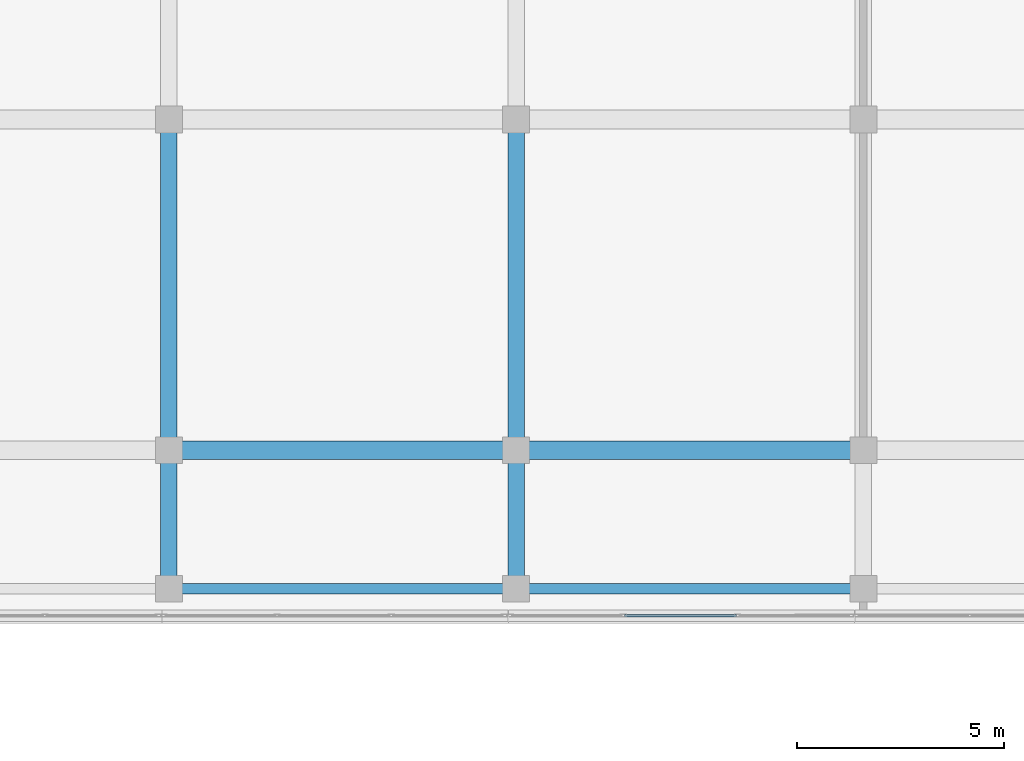
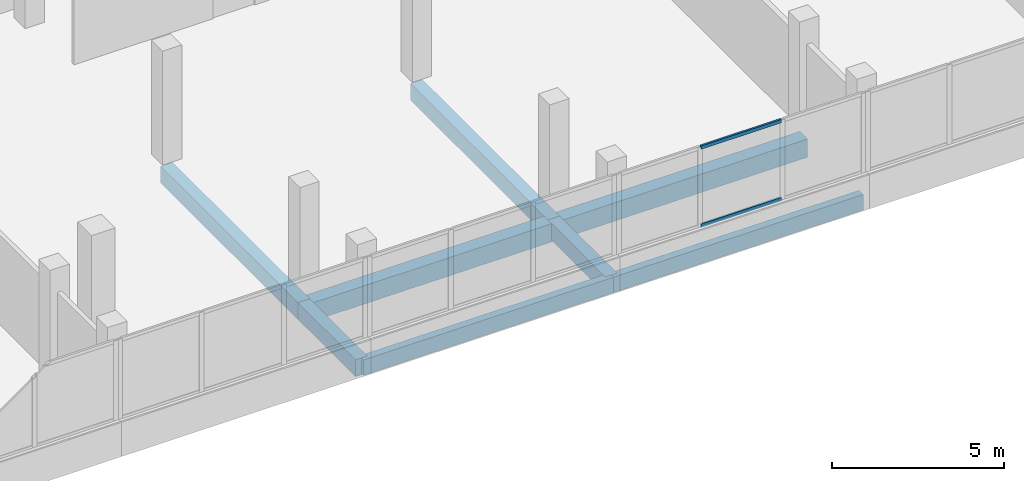
# One storey, part 30 of 76: 8 beams, 2 members, 1 element without a shape of its own.
"""IFC4 building model written with IfcOpenShell, lengths in metres."""

from ifc_helpers import new_model, si_unit, direction, frame, origin, origin_2d, place, context, subcontext, project, spatial, rectangle, hollow_rectangle, extrude, material, material_profile, profile_set, type_object, element, aggregate, save


model = new_model("IFC4")

# Units and contexts
model_context = context("Model", 3, precision=1e-05, world=origin(), true_north=direction((0.0, 1.0)))
body_context = subcontext(model_context, "Body", "Model", "MODEL_VIEW")
ifc_project = project(units=[si_unit("LENGTHUNIT", "METRE"), si_unit("AREAUNIT", "SQUARE_METRE"), si_unit("VOLUMEUNIT", "CUBIC_METRE"), si_unit("PLANEANGLEUNIT", "RADIAN"), si_unit("MASSUNIT", "GRAM", prefix="KILO")], contexts=[model_context])

# Site, building, storey
site_placement = place(None, origin())
site = spatial("IfcSite", under=ifc_project, at=site_placement, CompositionType="ELEMENT")
building_placement = place(site_placement, origin())
building = spatial("IfcBuilding", under=site, at=building_placement, Name="Selatvlak General Hospital", CompositionType="ELEMENT")
storey_placement = place(building_placement, frame((0.0, 0.0, 27.300048828125)))
storey = spatial("IfcBuildingStorey", under=building, at=storey_placement, Name="L06", CompositionType="ELEMENT", Elevation=27.300048828125)

# Beams
ifc_material_1 = material(Name="Concrete C40/50", Category="concrete")
ifc_material_profile_1 = material_profile(ifc_material_1, rectangle(XDim=0.449951171875, YDim=0.64990234375, at=origin_2d()), Name="RC-BM 450x650")
ifc_profile_set_1 = profile_set([ifc_material_profile_1], Name="Concrete C40/50")
beam_type_1 = type_object("IfcBeamType", Name="BM-G04", PredefinedType="BEAM", material=ifc_profile_set_1)
beam_1_placement = place(storey_placement, frame((90.0, 92.0, -0.60009765625), z_axis=(1.0, 0.0, 0.0), x_axis=(0.0, 1.0, 0.0)))
element("IfcBeam", 1, at=beam_1_placement, inside=storey, type_object=beam_type_1, Name="Beam BMR-L06-2170", PredefinedType="BEAM", context=body_context, shape_type="SweptSolid", body=[
    extrude(rectangle(XDim=0.449951171875, YDim=0.64990234375, at=origin_2d()), origin(), (0.0, 0.0, 1.0), 8.39990234375),
])
beam_2_placement = place(storey_placement, frame((98.39990234375, 92.0, -0.60009765625), z_axis=(1.0, 0.0, 0.0), x_axis=(0.0, 1.0, 0.0)))
element("IfcBeam", 2, at=beam_2_placement, inside=storey, type_object=beam_type_1, Name="Beam BMR-L06-2171", PredefinedType="BEAM", context=body_context, shape_type="SweptSolid", body=[
    extrude(rectangle(XDim=0.449951171875, YDim=0.64990234375, at=origin_2d()), origin(), (0.0, 0.0, 1.0), 8.400146484375),
])
ifc_material_profile_2 = material_profile(ifc_material_1, rectangle(XDim=0.39990234375, YDim=0.60009765625, at=origin_2d()), Name="RC-BM 400x600")
ifc_profile_set_2 = profile_set([ifc_material_profile_2], Name="Concrete C40/50")
beam_type_2 = type_object("IfcBeamType", Name="BM-G05", PredefinedType="BEAM", material=ifc_profile_set_2)
beam_3_placement = place(storey_placement, frame((90.0, 88.64990234375, -0.574951171875), z_axis=(0.0, 1.0, 0.0), x_axis=(-1.0, 0.0, 0.0)))
element("IfcBeam", 3, at=beam_3_placement, inside=storey, type_object=beam_type_2, Name="Beam BMR-L06-2285", PredefinedType="BEAM", context=body_context, shape_type="SweptSolid", body=[
    extrude(rectangle(XDim=0.39990234375, YDim=0.60009765625, at=origin_2d()), origin(), (0.0, 0.0, 1.0), 3.35009765625),
])
beam_4_placement = place(storey_placement, frame((90.0, 92.0, -0.574951171875), z_axis=(0.0, 1.0, 0.0), x_axis=(-1.0, 0.0, 0.0)))
element("IfcBeam", 4, at=beam_4_placement, inside=storey, type_object=beam_type_2, Name="Beam BMR-L06-2286", PredefinedType="BEAM", context=body_context, shape_type="SweptSolid", body=[
    extrude(rectangle(XDim=0.39990234375, YDim=0.60009765625, at=origin_2d()), origin(), (0.0, 0.0, 1.0), 8.0),
])
beam_5_placement = place(storey_placement, frame((98.39990234375, 88.64990234375, -0.574951171875), z_axis=(0.0, 1.0, 0.0), x_axis=(-1.0, 0.0, 0.0)))
element("IfcBeam", 5, at=beam_5_placement, inside=storey, type_object=beam_type_2, Name="Beam BMR-L06-2289", PredefinedType="BEAM", context=body_context, shape_type="SweptSolid", body=[
    extrude(rectangle(XDim=0.39990234375, YDim=0.60009765625, at=origin_2d()), origin(), (0.0, 0.0, 1.0), 3.35009765625),
])
beam_6_placement = place(storey_placement, frame((98.39990234375, 92.0, -0.574951171875), z_axis=(0.0, 1.0, 0.0), x_axis=(-1.0, 0.0, 0.0)))
element("IfcBeam", 6, at=beam_6_placement, inside=storey, type_object=beam_type_2, Name="Beam BMR-L06-2290", PredefinedType="BEAM", context=body_context, shape_type="SweptSolid", body=[
    extrude(rectangle(XDim=0.39990234375, YDim=0.60009765625, at=origin_2d()), origin(), (0.0, 0.0, 1.0), 8.0),
])
ifc_material_profile_3 = material_profile(ifc_material_1, rectangle(XDim=0.25, YDim=0.550048828125, at=origin_2d()), Name="RC-SP 250x550")
ifc_profile_set_3 = profile_set([ifc_material_profile_3], Name="Concrete C40/50")
beam_type_3 = type_object("IfcBeamType", Name="BM-SP2", PredefinedType="SPANDREL", material=ifc_profile_set_3)
beam_7_placement = place(storey_placement, frame((90.0, 88.64990234375, -0.550048828125), z_axis=(1.0, 0.0, 0.0), x_axis=(0.0, 1.0, 0.0)))
element("IfcBeam", 7, at=beam_7_placement, inside=storey, type_object=beam_type_3, Name="Beam BMR-L06-2151", PredefinedType="SPANDREL", context=body_context, shape_type="SweptSolid", body=[
    extrude(rectangle(XDim=0.25, YDim=0.550048828125, at=origin_2d()), origin(), (0.0, 0.0, 1.0), 8.39990234375),
])
beam_8_placement = place(storey_placement, frame((98.39990234375, 88.64990234375, -0.550048828125), z_axis=(1.0, 0.0, 0.0), x_axis=(0.0, 1.0, 0.0)))
element("IfcBeam", 8, at=beam_8_placement, inside=storey, type_object=beam_type_3, Name="Beam BMR-L06-2152", PredefinedType="SPANDREL", context=body_context, shape_type="SweptSolid", body=[
    extrude(rectangle(XDim=0.25, YDim=0.550048828125, at=origin_2d()), origin(), (0.0, 0.0, 1.0), 8.400146484375),
])

# Curtain wall, members
ifc_material_2 = material(Name="Solar-control Low-E double glazing", Category="glass")
curtain_wall_type = type_object("IfcCurtainWallType", Name="CW-CW-01", PredefinedType="USERDEFINED", material=ifc_material_2)
curtain_wall_placement = place(storey_placement, origin())
curtain_wall = element("IfcCurtainWall", 9, at=curtain_wall_placement, inside=storey, type_object=curtain_wall_type, Name="Glazed facade curtain wall CW-L06-0629", ObjectType="UNITISED CURTAIN WALL", PredefinedType="USERDEFINED")
ifc_material_3 = material(Name="Dark anodised aluminium mullion", Category="aluminium")
ifc_material_profile_4 = material_profile(ifc_material_3, hollow_rectangle(XDim=0.06494140625, YDim=0.1201171875, WallThickness=0.00390625, at=origin_2d()), Name="AL-TRN 65x120x4")
ifc_profile_set_4 = profile_set([ifc_material_profile_4], Name="Dark anodised aluminium mullion")
member_type = type_object("IfcMemberType", Name="CWT-01", PredefinedType="USERDEFINED", material=ifc_profile_set_4)
member_1_placement = place(storey_placement, frame((103.7255859375, 88.000732421875, 0.972412109375), z_axis=(-0.999999983662, -0.000180766447, 0.0), x_axis=(0.000180766447, -0.999999983662, 0.0)))
member_1 = element("IfcMember", 10, at=member_1_placement, type_object=member_type, Name="CW-01 transom 2.1", ObjectType="TRANSOM", PredefinedType="USERDEFINED", context=body_context, shape_type="SweptSolid", body=[
    extrude(hollow_rectangle(XDim=0.06494140625, YDim=0.1201171875, WallThickness=0.00390625, at=origin_2d()), origin(), (0.0, 0.0, 1.0), 2.701171875),
])
member_2_placement = place(storey_placement, frame((103.7255859375, 88.000732421875, 3.74755859375), z_axis=(-0.999999983662, -0.000180766447, 0.0), x_axis=(0.000180766447, -0.999999983662, 0.0)))
member_2 = element("IfcMember", 11, at=member_2_placement, type_object=member_type, Name="CW-01 transom 2.2", ObjectType="TRANSOM", PredefinedType="USERDEFINED", context=body_context, shape_type="SweptSolid", body=[
    extrude(hollow_rectangle(XDim=0.06494140625, YDim=0.1201171875, WallThickness=0.00390625, at=origin_2d()), origin(), (0.0, 0.0, 1.0), 2.701171875),
])
aggregate(curtain_wall, [member_1, member_2])

save(model, "model.ifc")
